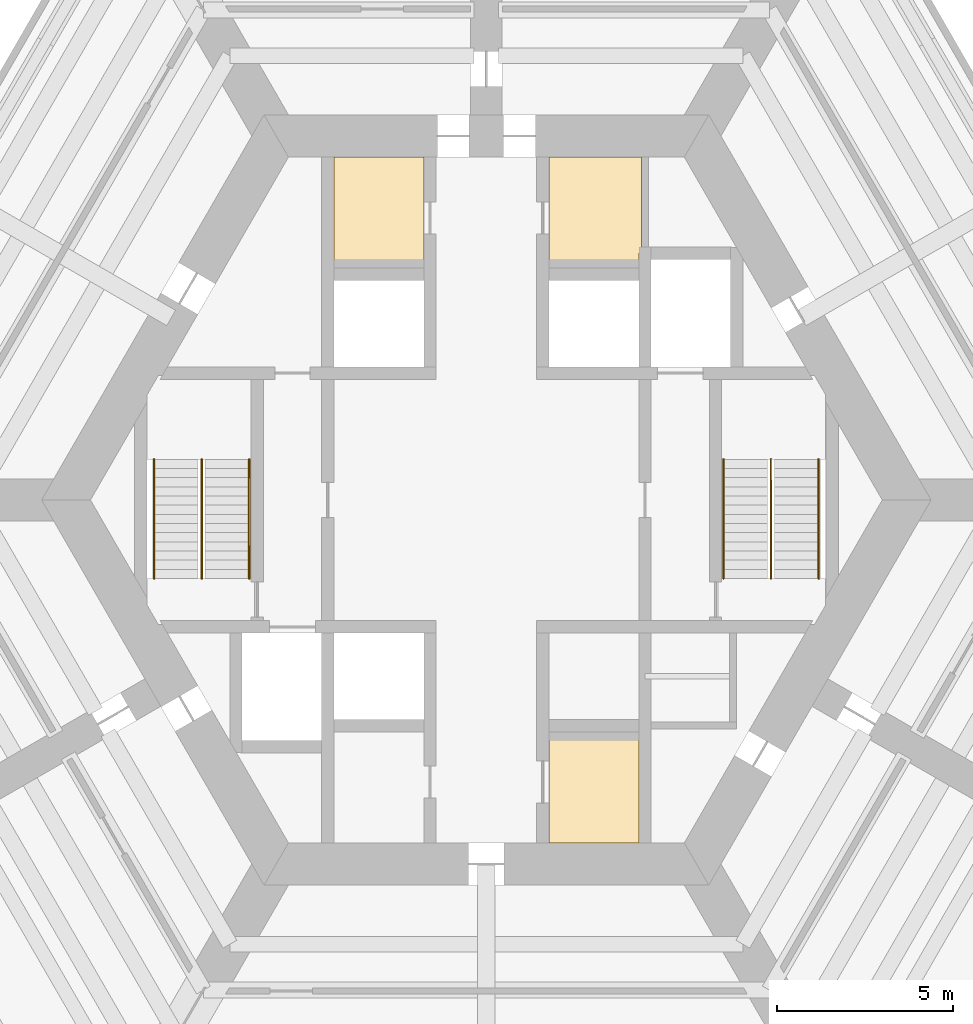
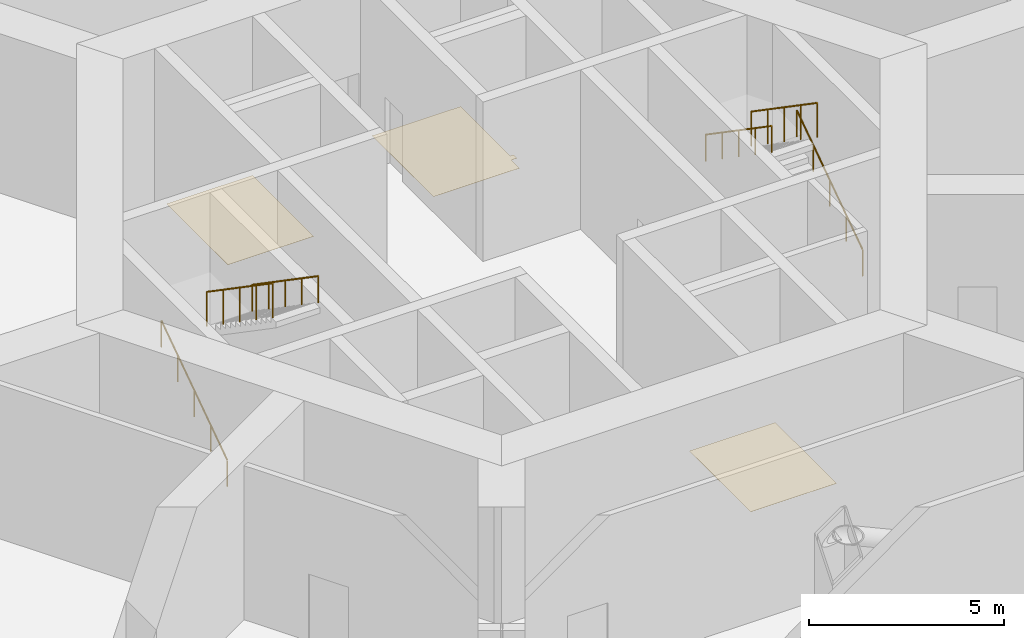
# One storey, part 8 of 8: 6 railings, 3 coverings.
"""IFC4 building model written with IfcOpenShell, lengths in metres."""

from ifc_helpers import new_model, si_unit, direction, frame, origin, origin_2d, place, context, subcontext, project, spatial, polyline, circle, outline, extrude, material, layer, layer_set, type_object, element, save


model = new_model("IFC4")

# Units and contexts
model_context = context("Model", 3, precision=1e-05, world=origin(), true_north=direction((0.0, 1.0)))
body_context = subcontext(model_context, "Body", "Model", "MODEL_VIEW")
ifc_project = project(units=[si_unit("LENGTHUNIT", "METRE"), si_unit("AREAUNIT", "SQUARE_METRE"), si_unit("VOLUMEUNIT", "CUBIC_METRE"), si_unit("PLANEANGLEUNIT", "RADIAN"), si_unit("MASSUNIT", "GRAM", prefix="KILO")], contexts=[model_context])

# Site, building, storey
site_placement = place(None, origin())
site = spatial("IfcSite", under=ifc_project, at=site_placement, CompositionType="ELEMENT")
building_placement = place(site_placement, origin())
building = spatial("IfcBuilding", under=site, at=building_placement, Name="Kasaneha Research Tower", CompositionType="ELEMENT")
storey_placement = place(building_placement, frame((0.0, 0.0, 52.0)))
storey = spatial("IfcBuildingStorey", under=building, at=storey_placement, Name="L13", CompositionType="ELEMENT", Elevation=52.0)

# Railings
ifc_material_1 = material(Name="Steel", Category="steel")
railing_type_1 = type_object("IfcRailingType", Name="Stair balustrade 1100", PredefinedType="GUARDRAIL", material=ifc_material_1)
for number, where, name in (
    (1, (8.074951171875, 1.155029296875, 2.678466796875), "Stair 1 balustrade L13"),
    (2, (-8.074951171875, 1.155029296875, 2.678466796875), "Stair 2 balustrade L13"),
):
    element("IfcRailing", number, at=place(storey_placement, frame(where)), inside=storey, type_object=railing_type_1, Name=name, PredefinedType="GUARDRAIL", context=body_context, shape_type="SweptSolid", body=[
        extrude(circle(Radius=0.02392578125, at=origin_2d()), frame((0.0, 0.0, 1.076171875), z_axis=(0.0, -0.824304150675, 0.566147213346), x_axis=(1.0, 0.0, 0.0)), (0.0, 0.0, 1.0), 4.1005859375),
        extrude(circle(Radius=0.02099609375, at=origin_2d()), origin(), (0.0, 0.0, 1.0), 1.052001953125),
        extrude(circle(Radius=0.02099609375, at=origin_2d()), frame((0.0, -0.844970703125, 0.580322265625)), (0.0, 0.0, 1.0), 1.052001953125),
        extrude(circle(Radius=0.02099609375, at=origin_2d()), frame((0.0, -1.68994140625, 1.16064453125)), (0.0, 0.0, 1.0), 1.052001953125),
        extrude(circle(Radius=0.02099609375, at=origin_2d()), frame((0.0, -2.53515625, 1.7412109375)), (0.0, 0.0, 1.0), 1.052001953125),
        extrude(circle(Radius=0.02099609375, at=origin_2d()), frame((0.0, -3.380126953125, 2.321533203125)), (0.0, 0.0, 1.0), 1.052001953125),
    ])
ifc_material_2 = material(Name="Steel", Category="steel")
railing_type_2 = type_object("IfcRailingType", Name="Stair handrail 850", PredefinedType="HANDRAIL", material=ifc_material_2)
railing_1_placement = place(storey_placement, frame((9.425048828125, -2.22509765625, 0.178466796875)))
element("IfcRailing", 3, at=railing_1_placement, inside=storey, type_object=railing_type_2, Name="Stair 1 handrail L13", PredefinedType="HANDRAIL", context=body_context, shape_type="SweptSolid", body=[
    extrude(circle(Radius=0.02392578125, at=origin_2d()), frame((0.0, 0.0, 0.826171875), z_axis=(0.0, 0.824304150675, 0.566147213346), x_axis=(-1.0, 0.0, 0.0)), (0.0, 0.0, 1.0), 4.1005859375),
    extrude(circle(Radius=0.02099609375, at=origin_2d()), origin(), (0.0, 0.0, 1.0), 0.802001953125),
    extrude(circle(Radius=0.02099609375, at=origin_2d()), frame((0.0, 0.844970703125, 0.580322265625)), (0.0, 0.0, 1.0), 0.802001953125),
    extrude(circle(Radius=0.02099609375, at=origin_2d()), frame((0.0, 1.68994140625, 1.16064453125)), (0.0, 0.0, 1.0), 0.802001953125),
    extrude(circle(Radius=0.02099609375, at=origin_2d()), frame((0.0, 2.53515625, 1.7412109375)), (0.0, 0.0, 1.0), 0.802001953125),
    extrude(circle(Radius=0.02099609375, at=origin_2d()), frame((0.0, 3.380126953125, 2.321533203125)), (0.0, 0.0, 1.0), 0.802001953125),
])
railing_2_placement = place(storey_placement, frame((6.72509765625, 1.155029296875, 2.678466796875)))
element("IfcRailing", 4, at=railing_2_placement, inside=storey, type_object=railing_type_2, Name="Stair 1 handrail L13", PredefinedType="HANDRAIL", context=body_context, shape_type="SweptSolid", body=[
    extrude(circle(Radius=0.02392578125, at=origin_2d()), frame((0.0, 0.0, 0.826171875), z_axis=(0.0, -0.824304150675, 0.566147213346), x_axis=(1.0, 0.0, 0.0)), (0.0, 0.0, 1.0), 4.1005859375),
    extrude(circle(Radius=0.02099609375, at=origin_2d()), origin(), (0.0, 0.0, 1.0), 0.802001953125),
    extrude(circle(Radius=0.02099609375, at=origin_2d()), frame((0.0, -0.844970703125, 0.580322265625)), (0.0, 0.0, 1.0), 0.802001953125),
    extrude(circle(Radius=0.02099609375, at=origin_2d()), frame((0.0, -1.68994140625, 1.16064453125)), (0.0, 0.0, 1.0), 0.802001953125),
    extrude(circle(Radius=0.02099609375, at=origin_2d()), frame((0.0, -2.53515625, 1.7412109375)), (0.0, 0.0, 1.0), 0.802001953125),
    extrude(circle(Radius=0.02099609375, at=origin_2d()), frame((0.0, -3.380126953125, 2.321533203125)), (0.0, 0.0, 1.0), 0.802001953125),
])
railing_3_placement = place(storey_placement, frame((-9.425048828125, -2.22509765625, 0.178466796875)))
element("IfcRailing", 5, at=railing_3_placement, inside=storey, type_object=railing_type_2, Name="Stair 2 handrail L13", PredefinedType="HANDRAIL", context=body_context, shape_type="SweptSolid", body=[
    extrude(circle(Radius=0.02392578125, at=origin_2d()), frame((0.0, 0.0, 0.826171875), z_axis=(0.0, 0.824304150675, 0.566147213346), x_axis=(-1.0, 0.0, 0.0)), (0.0, 0.0, 1.0), 4.1005859375),
    extrude(circle(Radius=0.02099609375, at=origin_2d()), origin(), (0.0, 0.0, 1.0), 0.802001953125),
    extrude(circle(Radius=0.02099609375, at=origin_2d()), frame((0.0, 0.844970703125, 0.580322265625)), (0.0, 0.0, 1.0), 0.802001953125),
    extrude(circle(Radius=0.02099609375, at=origin_2d()), frame((0.0, 1.68994140625, 1.16064453125)), (0.0, 0.0, 1.0), 0.802001953125),
    extrude(circle(Radius=0.02099609375, at=origin_2d()), frame((0.0, 2.53515625, 1.7412109375)), (0.0, 0.0, 1.0), 0.802001953125),
    extrude(circle(Radius=0.02099609375, at=origin_2d()), frame((0.0, 3.380126953125, 2.321533203125)), (0.0, 0.0, 1.0), 0.802001953125),
])
railing_4_placement = place(storey_placement, frame((-6.72509765625, 1.155029296875, 2.678466796875)))
element("IfcRailing", 6, at=railing_4_placement, inside=storey, type_object=railing_type_2, Name="Stair 2 handrail L13", PredefinedType="HANDRAIL", context=body_context, shape_type="SweptSolid", body=[
    extrude(circle(Radius=0.02392578125, at=origin_2d()), frame((0.0, 0.0, 0.826171875), z_axis=(0.0, -0.824304150675, 0.566147213346), x_axis=(1.0, 0.0, 0.0)), (0.0, 0.0, 1.0), 4.1005859375),
    extrude(circle(Radius=0.02099609375, at=origin_2d()), origin(), (0.0, 0.0, 1.0), 0.802001953125),
    extrude(circle(Radius=0.02099609375, at=origin_2d()), frame((0.0, -0.844970703125, 0.580322265625)), (0.0, 0.0, 1.0), 0.802001953125),
    extrude(circle(Radius=0.02099609375, at=origin_2d()), frame((0.0, -1.68994140625, 1.16064453125)), (0.0, 0.0, 1.0), 0.802001953125),
    extrude(circle(Radius=0.02099609375, at=origin_2d()), frame((0.0, -2.53515625, 1.7412109375)), (0.0, 0.0, 1.0), 0.802001953125),
    extrude(circle(Radius=0.02099609375, at=origin_2d()), frame((0.0, -3.380126953125, 2.321533203125)), (0.0, 0.0, 1.0), 0.802001953125),
])

# Coverings
ifc_material_3 = material(Name="Vinyl sheet flooring", Category="plastic")
ifc_layer = layer(ifc_material_3, 0.0048828125)
ifc_layer_set = layer_set([ifc_layer], Name="Wet room sheet flooring 5")
covering_type = type_object("IfcCoveringType", Name="Wet room sheet flooring 5", PredefinedType="FLOORING", material=ifc_layer_set)
covering_1_placement = place(storey_placement, origin())
element("IfcCovering", 7, at=covering_1_placement, inside=storey, type_object=covering_type, Name="Floor finish L13-06", PredefinedType="FLOORING", context=body_context, shape_type="SweptSolid", body=[
    extrude(outline(polyline([(-1.77490234375, 9.72509765625), (-1.77490234375, 6.574951171875), (-4.324951171875, 6.574951171875), (-4.324951171875, 9.72509765625), (-1.77490234375, 9.72509765625)])), origin(), (0.0, 0.0, 1.0), 0.0048828125),
])
covering_2_placement = place(storey_placement, origin())
element("IfcCovering", 8, at=covering_2_placement, inside=storey, type_object=covering_type, Name="Floor finish L13-07", PredefinedType="FLOORING", context=body_context, shape_type="SweptSolid", body=[
    extrude(outline(polyline([(4.39892578125, 9.72509765625), (4.39892578125, 7.175048828125), (4.39892578125, 7.1748046875), (4.39892578125, 7.1748046875), (4.39892578125, 7.1748046875), (4.399169921875, 7.174560546875), (4.399169921875, 7.174560546875), (4.399169921875, 7.174560546875), (4.399169921875, 7.17431640625), (4.399169921875, 7.17431640625), (4.3994140625, 7.17431640625), (4.3994140625, 7.174072265625), (4.3994140625, 7.174072265625), (4.399658203125, 7.174072265625), (4.399658203125, 7.174072265625), (4.39990234375, 7.174072265625), (4.39990234375, 7.174072265625), (4.39990234375, 7.174072265625), (4.5, 7.174072265625), (4.5, 7.0), (4.324951171875, 7.0), (4.324951171875, 6.574951171875), (1.77490234375, 6.574951171875), (1.77490234375, 9.72509765625), (4.39892578125, 9.72509765625)])), origin(), (0.0, 0.0, 1.0), 0.0048828125),
])
covering_3_placement = place(storey_placement, origin())
element("IfcCovering", 9, at=covering_3_placement, inside=storey, type_object=covering_type, Name="Floor finish L13-09", PredefinedType="FLOORING", context=body_context, shape_type="SweptSolid", body=[
    extrude(outline(polyline([(1.77490234375, -9.72509765625), (1.77490234375, -6.574951171875), (4.324951171875, -6.574951171875), (4.324951171875, -9.72509765625), (1.77490234375, -9.72509765625)])), origin(), (0.0, 0.0, 1.0), 0.0048828125),
])

save(model, "model.ifc")
